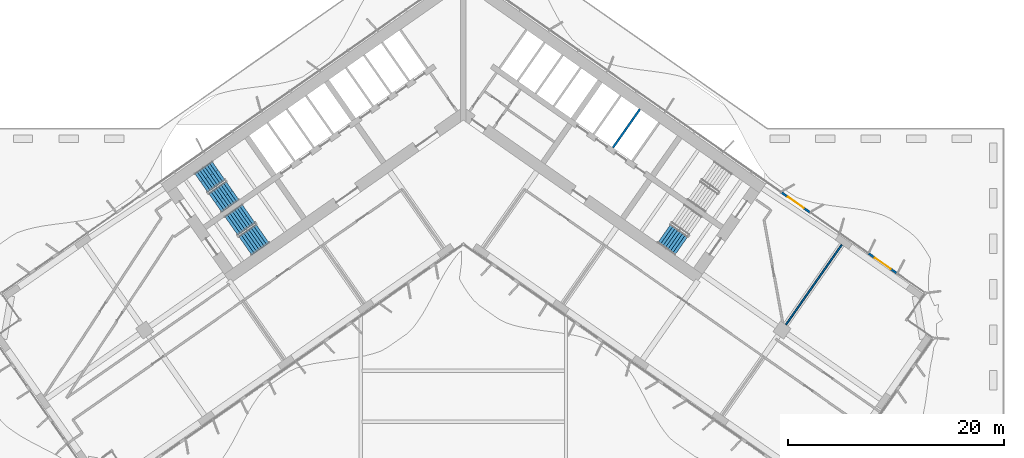
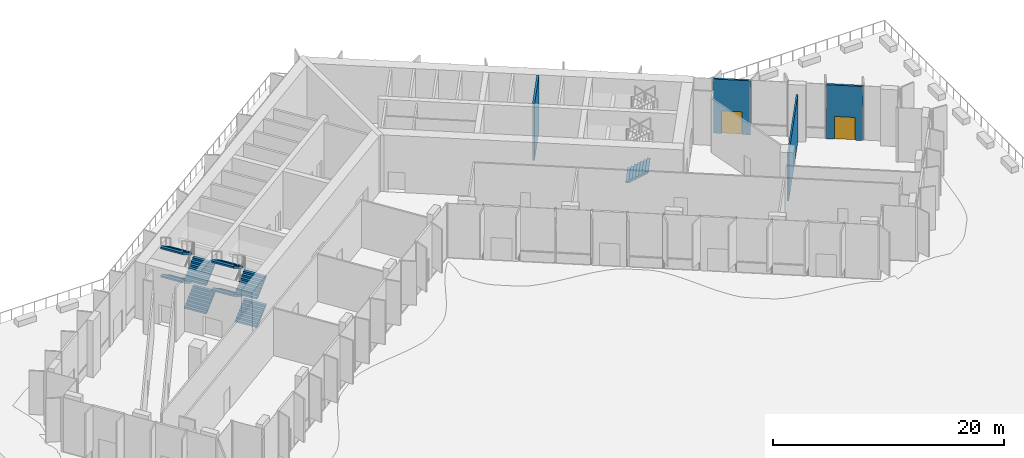
# One storey, part 20 of 27: 9 stair flights, 4 walls, 2 doors, 2 openings, 3 elements without a shape of their own.
"""IFC4 building model written with IfcOpenShell, lengths in metres."""

from ifc_helpers import new_model, si_unit, direction, frame, frame_2d, origin, place, context, subcontext, project, spatial, polyline, rectangle, outline, extrude, material, layer, layer_set, type_object, element, fill, aggregate, save


model = new_model("IFC4")

# Units and contexts
model_context = context("Model", 3, precision=1e-05, world=origin(), true_north=direction((0.0, 1.0)))
body_context = subcontext(model_context, "Body", "Model", "MODEL_VIEW")
ifc_project = project(units=[si_unit("LENGTHUNIT", "METRE"), si_unit("AREAUNIT", "SQUARE_METRE"), si_unit("VOLUMEUNIT", "CUBIC_METRE"), si_unit("PLANEANGLEUNIT", "RADIAN"), si_unit("MASSUNIT", "GRAM", prefix="KILO")], contexts=[model_context])

# Site, building, storey
site_placement = place(None, origin())
site = spatial("IfcSite", under=ifc_project, at=site_placement, CompositionType="ELEMENT")
building_placement = place(site_placement, origin())
building = spatial("IfcBuilding", under=site, at=building_placement, Name="Tel Ilan Convention Tower", CompositionType="ELEMENT")
storey_placement = place(building_placement, frame((0.0, 0.0, 48.5)))
storey = spatial("IfcBuildingStorey", under=building, at=storey_placement, Name="L07", CompositionType="ELEMENT", Elevation=48.5)

# Walls
ifc_material_1 = material(Name="Plasterboard on Steel Studs", Category="steel")
ifc_layer_1 = layer(ifc_material_1, 0.14990234375)
ifc_layer_set_1 = layer_set([ifc_layer_1], Name="Fire-rated Partition 150 EI 60")
wall_type_1 = type_object("IfcWallType", Name="Fire-rated Partition 150 EI 60", PredefinedType="PARTITIONING", material=ifc_layer_set_1)
wall_1_placement = place(storey_placement, frame((35.012939453125, -12.76025390625, 0.0), z_axis=(0.0, 0.0, 1.0), x_axis=(-0.573558725113, -0.819164445546, 0.0)))
element("IfcWall", 1, at=wall_1_placement, inside=storey, type_object=wall_type_1, Name="Partition 013", PredefinedType="PARTITIONING", context=body_context, shape_type="SweptSolid", body=[
    extrude(rectangle(XDim=9.010009765625, YDim=0.14990234375, at=frame_2d((4.5048828125, 0.0))), origin(), (0.0, 0.0, 1.0), 5.0),
])
ifc_material_2 = material(Name="Concrete C30/37", Category="concrete")
ifc_layer_2 = layer(ifc_material_2, 0.199951171875)
ifc_layer_set_2 = layer_set([ifc_layer_2], Name="Lift Shaft Wall 200 mm C30/37")
wall_type_2 = type_object("IfcWallType", Name="Lift Shaft Wall 200 mm C30/37", PredefinedType="SOLIDWALL", material=ifc_layer_set_2)
wall_2_placement = place(storey_placement, frame((13.84033203125, -3.7705078125, 0.0), z_axis=(0.0, 0.0, 1.0), x_axis=(0.57356780395, 0.819158088694, 0.0)))
element("IfcWall", 2, at=wall_2_placement, inside=storey, type_object=wall_type_2, Name="L07 core wall bank-E2-p1", PredefinedType="SOLIDWALL", context=body_context, shape_type="SweptSolid", body=[
    extrude(rectangle(XDim=4.35009765625, YDim=0.199951171875, at=frame_2d((2.175048828125, 0.0))), origin(), (0.0, 0.0, 1.0), 6.0),
])

# Wall, opening, door
ifc_material_3 = material(Name="Aluminium composite cladding, bronze anodised on steel studs", Category="steel")
ifc_layer_3 = layer(ifc_material_3, 0.199951171875)
ifc_layer_set_3 = layer_set([ifc_layer_3], Name="TERRACE DOOR BAY WALL 200")
wall_type_3 = type_object("IfcWallType", Name="TERRACE DOOR BAY WALL 200", PredefinedType="SOLIDWALL", material=ifc_layer_set_3)
wall_3_placement = place(storey_placement, frame((40.1220703125, -15.397705078125, 0.0), z_axis=(0.0, 0.0, 1.0), x_axis=(-0.819156924044, 0.573569467276, 0.0)))
wall_3 = element("IfcWall", 3, at=wall_3_placement, inside=storey, type_object=wall_type_3, Name="Terrace door bay", PredefinedType="SOLIDWALL", context=body_context, shape_type="SweptSolid", body=[
    extrude(rectangle(XDim=3.2119140625, YDim=0.199951171875, at=frame_2d((1.60595703125, 0.0))), origin(), (0.0, 0.0, 1.0), 5.719970703125),
])
opening_1_placement = place(wall_3_placement, frame((0.7060546875, 0.0, 0.0)))
opening_1 = element("IfcOpeningElement", 4, at=opening_1_placement, cuts=wall_3, Name="Opening T07.11", PredefinedType="OPENING", context=body_context, shape_type="SweptSolid", body=[
    extrude(rectangle(XDim=1.800048828125, YDim=2.39990234375, at=frame_2d((0.89990234375, 1.199951171875))), frame((0.0, 0.10986328125, 0.0), z_axis=(0.0, -1.0, 0.0), x_axis=(1.0, 0.0, 0.0)), (0.0, 0.0, 1.0), 0.219970703125),
])
ifc_material_4 = material(Name="Aluminium framed glazed door, bronze anodised", Category="aluminium")
door_type = type_object("IfcDoorType", Name="TERRACE DOUBLE DOOR 1800x2400", OperationType="NOTDEFINED", PredefinedType="DOOR", material=ifc_material_4)
door_1_placement = place(opening_1_placement, origin())
door_1 = element("IfcDoor", 5, at=door_1_placement, inside=storey, type_object=door_type, Name="Terrace door", OperationType="DOUBLE_DOOR_DOUBLE_SWING", OverallHeight=2.39990234375, OverallWidth=1.800048828125, PredefinedType="DOOR", context=body_context, shape_type="SweptSolid", body=[
    extrude(rectangle(XDim=1.800048828125, YDim=2.39990234375, at=frame_2d((0.89990234375, 1.199951171875))), frame((0.0, 0.02490234375, 0.0), z_axis=(0.0, -1.0, 0.0), x_axis=(1.0, 0.0, 0.0)), (0.0, 0.0, 1.0), 0.050048828125),
])
fill(opening_1, door_1)

wall_4_placement = place(storey_placement, frame((32.081298828125, -9.767578125, 0.0), z_axis=(0.0, 0.0, 1.0), x_axis=(-0.819156924044, 0.573569467276, 0.0)))
wall_4 = element("IfcWall", 6, at=wall_4_placement, inside=storey, type_object=wall_type_3, Name="Terrace door bay", PredefinedType="SOLIDWALL", context=body_context, shape_type="SweptSolid", body=[
    extrude(rectangle(XDim=3.2119140625, YDim=0.199951171875, at=frame_2d((1.60595703125, 0.0))), origin(), (0.0, 0.0, 1.0), 5.719970703125),
])
opening_2_placement = place(wall_4_placement, frame((0.7060546875, 0.0, 0.0)))
opening_2 = element("IfcOpeningElement", 7, at=opening_2_placement, cuts=wall_4, Name="Opening T07.12", PredefinedType="OPENING", context=body_context, shape_type="SweptSolid", body=[
    extrude(rectangle(XDim=1.800048828125, YDim=2.39990234375, at=frame_2d((0.89990234375, 1.199951171875))), frame((0.0, 0.10986328125, 0.0), z_axis=(0.0, -1.0, 0.0), x_axis=(1.0, 0.0, 0.0)), (0.0, 0.0, 1.0), 0.219970703125),
])
door_2_placement = place(opening_2_placement, origin())
door_2 = element("IfcDoor", 8, at=door_2_placement, inside=storey, type_object=door_type, Name="Terrace door", OperationType="DOUBLE_DOOR_DOUBLE_SWING", OverallHeight=2.39990234375, OverallWidth=1.800048828125, PredefinedType="DOOR", context=body_context, shape_type="SweptSolid", body=[
    extrude(rectangle(XDim=1.800048828125, YDim=2.39990234375, at=frame_2d((0.89990234375, 1.199951171875))), frame((0.0, 0.02490234375, 0.0), z_axis=(0.0, -1.0, 0.0), x_axis=(1.0, 0.0, 0.0)), (0.0, 0.0, 1.0), 0.050048828125),
])
fill(opening_2, door_2)

# Stair, stair flights
ifc_material_5 = material(Name="Concrete C40/50", Category="concrete")
stair_type = type_object("IfcStairType", Name="Pressurised Exit Stair 32 risers 188 mm", PredefinedType="HALF_TURN_STAIR", material=ifc_material_5)
stair_1_placement = place(storey_placement, origin())
stair_1 = element("IfcStair", 9, at=stair_1_placement, inside=storey, type_object=stair_type, Name="L07 Pressurised Stair S1", PredefinedType="HALF_TURN_STAIR")
ifc_material_6 = material(Name="Precast Concrete C40/50", Category="concrete")
stair_flight_type = type_object("IfcStairFlightType", Name="Concrete Stair Flight 2100 mm 32 risers 188 mm", PredefinedType="STRAIGHT", material=ifc_material_6)
stair_flight_1_placement = place(storey_placement, frame((-22.9619140625, -8.87548828125, 0.0), z_axis=(0.0, 0.0, 1.0), x_axis=(0.819152044289, 0.573576436351, 0.0)))
stair_flight_1 = element("IfcStairFlight", 10, at=stair_flight_1_placement, type_object=stair_flight_type, Name="S1 flight 1", NumberOfRisers=8, NumberOfTreads=7, PredefinedType="STRAIGHT", RiserHeight=0.1875, TreadLength=0.28, context=body_context, shape_type="SweptSolid", body=[
    extrude(outline(polyline([(0.0, 0.0), (0.0, 0.1875), (0.280029296875, 0.1875), (0.280029296875, 0.375), (0.56005859375, 0.375), (0.56005859375, 0.5625), (0.840087890625, 0.5625), (0.840087890625, 0.75), (1.1201171875, 0.75), (1.1201171875, 0.9375), (1.39990234375, 0.9375), (1.39990234375, 1.125), (1.679931640625, 1.125), (1.679931640625, 1.3125), (1.9599609375, 1.3125), (1.9599609375, 1.5), (1.9599609375, 1.132080078125), (0.26953125, 0.0), (0.0, 0.0)])), frame((0.0, -0.100341796875, 0.0), z_axis=(0.0, -1.0, 0.0), x_axis=(1.0, 0.0, 0.0)), (0.0, 0.0, 1.0), 0.94970703125),
    extrude(outline(polyline([(0.0, 0.0), (0.0, 0.1875), (0.280029296875, 0.1875), (0.280029296875, 0.375), (0.56005859375, 0.375), (0.56005859375, 0.5625), (0.840087890625, 0.5625), (0.840087890625, 0.75), (1.1201171875, 0.75), (1.1201171875, 0.9375), (1.39990234375, 0.9375), (1.39990234375, 1.125), (1.679931640625, 1.125), (1.679931640625, 1.3125), (1.9599609375, 1.3125), (1.9599609375, 1.5), (1.9599609375, 1.132080078125), (0.26953125, 0.0), (0.0, 0.0)])), frame((0.0, -0.000244140625, 0.0), z_axis=(0.0, -1.0, 0.0), x_axis=(1.0, 0.0, 0.0)), (0.0, 0.0, 1.0), 0.099609375),
    extrude(outline(polyline([(0.0, 0.0), (0.0, 0.1875), (0.280029296875, 0.1875), (0.280029296875, 0.375), (0.56005859375, 0.375), (0.56005859375, 0.5625), (0.840087890625, 0.5625), (0.840087890625, 0.75), (1.1201171875, 0.75), (1.1201171875, 0.9375), (1.39990234375, 0.9375), (1.39990234375, 1.125), (1.679931640625, 1.125), (1.679931640625, 1.3125), (1.9599609375, 1.3125), (1.9599609375, 1.5), (1.9599609375, 1.132080078125), (0.26953125, 0.0), (0.0, 0.0)])), frame((0.0, 0.099853515625, 0.0), z_axis=(0.0, -1.0, 0.0), x_axis=(1.0, 0.0, 0.0)), (0.0, 0.0, 1.0), 0.099609375),
    extrude(outline(polyline([(0.0, 0.0), (0.0, 0.1875), (0.280029296875, 0.1875), (0.280029296875, 0.375), (0.56005859375, 0.375), (0.56005859375, 0.5625), (0.840087890625, 0.5625), (0.840087890625, 0.75), (1.1201171875, 0.75), (1.1201171875, 0.9375), (1.39990234375, 0.9375), (1.39990234375, 1.125), (1.679931640625, 1.125), (1.679931640625, 1.3125), (1.9599609375, 1.3125), (1.9599609375, 1.5), (1.9599609375, 1.132080078125), (0.26953125, 0.0), (0.0, 0.0)])), frame((0.0, 1.050048828125, 0.0), z_axis=(0.0, -1.0, 0.0), x_axis=(1.0, 0.0, 0.0)), (0.0, 0.0, 1.0), 0.94970703125),
])
stair_flight_2_placement = place(storey_placement, frame((-22.646728515625, -5.908203125, 1.5), z_axis=(0.0, 0.0, 1.0), x_axis=(-0.819152044289, -0.573576436351, 0.0)))
stair_flight_2 = element("IfcStairFlight", 11, at=stair_flight_2_placement, type_object=stair_flight_type, Name="S1 flight 2", NumberOfRisers=8, NumberOfTreads=7, PredefinedType="STRAIGHT", RiserHeight=0.1875, TreadLength=0.28, context=body_context, shape_type="SweptSolid", body=[
    extrude(outline(polyline([(0.0, 0.0), (0.0, 0.1875), (0.280029296875, 0.1875), (0.280029296875, 0.375), (0.56005859375, 0.375), (0.56005859375, 0.5625), (0.840087890625, 0.5625), (0.840087890625, 0.75), (1.1201171875, 0.75), (1.1201171875, 0.9375), (1.39990234375, 0.9375), (1.39990234375, 1.125), (1.679931640625, 1.125), (1.679931640625, 1.3125), (1.9599609375, 1.3125), (1.9599609375, 1.5), (1.9599609375, 1.132080078125), (0.26953125, 0.0), (0.0, 0.0)])), frame((0.0, -0.100341796875, 0.0), z_axis=(0.0, -1.0, 0.0), x_axis=(1.0, 0.0, 0.0)), (0.0, 0.0, 1.0), 0.94970703125),
    extrude(outline(polyline([(0.0, 0.0), (0.0, 0.1875), (0.280029296875, 0.1875), (0.280029296875, 0.375), (0.56005859375, 0.375), (0.56005859375, 0.5625), (0.840087890625, 0.5625), (0.840087890625, 0.75), (1.1201171875, 0.75), (1.1201171875, 0.9375), (1.39990234375, 0.9375), (1.39990234375, 1.125), (1.679931640625, 1.125), (1.679931640625, 1.3125), (1.9599609375, 1.3125), (1.9599609375, 1.5), (1.9599609375, 1.132080078125), (0.26953125, 0.0), (0.0, 0.0)])), frame((0.0, -0.000244140625, 0.0), z_axis=(0.0, -1.0, 0.0), x_axis=(1.0, 0.0, 0.0)), (0.0, 0.0, 1.0), 0.099609375),
    extrude(outline(polyline([(0.0, 0.0), (0.0, 0.1875), (0.280029296875, 0.1875), (0.280029296875, 0.375), (0.56005859375, 0.375), (0.56005859375, 0.5625), (0.840087890625, 0.5625), (0.840087890625, 0.75), (1.1201171875, 0.75), (1.1201171875, 0.9375), (1.39990234375, 0.9375), (1.39990234375, 1.125), (1.679931640625, 1.125), (1.679931640625, 1.3125), (1.9599609375, 1.3125), (1.9599609375, 1.5), (1.9599609375, 1.132080078125), (0.26953125, 0.0), (0.0, 0.0)])), frame((0.0, 0.099853515625, 0.0), z_axis=(0.0, -1.0, 0.0), x_axis=(1.0, 0.0, 0.0)), (0.0, 0.0, 1.0), 0.099609375),
    extrude(outline(polyline([(0.0, 0.0), (0.0, 0.1875), (0.280029296875, 0.1875), (0.280029296875, 0.375), (0.56005859375, 0.375), (0.56005859375, 0.5625), (0.840087890625, 0.5625), (0.840087890625, 0.75), (1.1201171875, 0.75), (1.1201171875, 0.9375), (1.39990234375, 0.9375), (1.39990234375, 1.125), (1.679931640625, 1.125), (1.679931640625, 1.3125), (1.9599609375, 1.3125), (1.9599609375, 1.5), (1.9599609375, 1.132080078125), (0.26953125, 0.0), (0.0, 0.0)])), frame((0.0, 1.050048828125, 0.0), z_axis=(0.0, -1.0, 0.0), x_axis=(1.0, 0.0, 0.0)), (0.0, 0.0, 1.0), 0.94970703125),
])
stair_flight_3_placement = place(storey_placement, frame((-22.9619140625, -8.87548828125, 3.0), z_axis=(0.0, 0.0, 1.0), x_axis=(0.819152044289, 0.573576436351, 0.0)))
stair_flight_3 = element("IfcStairFlight", 12, at=stair_flight_3_placement, type_object=stair_flight_type, Name="S1 flight 3", NumberOfRisers=8, NumberOfTreads=7, PredefinedType="STRAIGHT", RiserHeight=0.1875, TreadLength=0.28, context=body_context, shape_type="SweptSolid", body=[
    extrude(outline(polyline([(0.0, 0.0), (0.0, 0.1875), (0.280029296875, 0.1875), (0.280029296875, 0.375), (0.56005859375, 0.375), (0.56005859375, 0.5625), (0.840087890625, 0.5625), (0.840087890625, 0.75), (1.1201171875, 0.75), (1.1201171875, 0.9375), (1.39990234375, 0.9375), (1.39990234375, 1.125), (1.679931640625, 1.125), (1.679931640625, 1.3125), (1.9599609375, 1.3125), (1.9599609375, 1.5), (1.9599609375, 1.132080078125), (0.26953125, 0.0), (0.0, 0.0)])), frame((0.0, -0.100341796875, 0.0), z_axis=(0.0, -1.0, 0.0), x_axis=(1.0, 0.0, 0.0)), (0.0, 0.0, 1.0), 0.94970703125),
    extrude(outline(polyline([(0.0, 0.0), (0.0, 0.1875), (0.280029296875, 0.1875), (0.280029296875, 0.375), (0.56005859375, 0.375), (0.56005859375, 0.5625), (0.840087890625, 0.5625), (0.840087890625, 0.75), (1.1201171875, 0.75), (1.1201171875, 0.9375), (1.39990234375, 0.9375), (1.39990234375, 1.125), (1.679931640625, 1.125), (1.679931640625, 1.3125), (1.9599609375, 1.3125), (1.9599609375, 1.5), (1.9599609375, 1.132080078125), (0.26953125, 0.0), (0.0, 0.0)])), frame((0.0, -0.000244140625, 0.0), z_axis=(0.0, -1.0, 0.0), x_axis=(1.0, 0.0, 0.0)), (0.0, 0.0, 1.0), 0.099609375),
    extrude(outline(polyline([(0.0, 0.0), (0.0, 0.1875), (0.280029296875, 0.1875), (0.280029296875, 0.375), (0.56005859375, 0.375), (0.56005859375, 0.5625), (0.840087890625, 0.5625), (0.840087890625, 0.75), (1.1201171875, 0.75), (1.1201171875, 0.9375), (1.39990234375, 0.9375), (1.39990234375, 1.125), (1.679931640625, 1.125), (1.679931640625, 1.3125), (1.9599609375, 1.3125), (1.9599609375, 1.5), (1.9599609375, 1.132080078125), (0.26953125, 0.0), (0.0, 0.0)])), frame((0.0, 0.099853515625, 0.0), z_axis=(0.0, -1.0, 0.0), x_axis=(1.0, 0.0, 0.0)), (0.0, 0.0, 1.0), 0.099609375),
    extrude(outline(polyline([(0.0, 0.0), (0.0, 0.1875), (0.280029296875, 0.1875), (0.280029296875, 0.375), (0.56005859375, 0.375), (0.56005859375, 0.5625), (0.840087890625, 0.5625), (0.840087890625, 0.75), (1.1201171875, 0.75), (1.1201171875, 0.9375), (1.39990234375, 0.9375), (1.39990234375, 1.125), (1.679931640625, 1.125), (1.679931640625, 1.3125), (1.9599609375, 1.3125), (1.9599609375, 1.5), (1.9599609375, 1.132080078125), (0.26953125, 0.0), (0.0, 0.0)])), frame((0.0, 1.050048828125, 0.0), z_axis=(0.0, -1.0, 0.0), x_axis=(1.0, 0.0, 0.0)), (0.0, 0.0, 1.0), 0.94970703125),
])
stair_flight_4_placement = place(storey_placement, frame((-22.646728515625, -5.908203125, 4.5), z_axis=(0.0, 0.0, 1.0), x_axis=(-0.819152044289, -0.573576436351, 0.0)))
stair_flight_4 = element("IfcStairFlight", 13, at=stair_flight_4_placement, type_object=stair_flight_type, Name="S1 flight 4", NumberOfRisers=8, NumberOfTreads=7, PredefinedType="STRAIGHT", RiserHeight=0.1875, TreadLength=0.28, context=body_context, shape_type="SweptSolid", body=[
    extrude(outline(polyline([(0.0, 0.0), (0.0, 0.1875), (0.280029296875, 0.1875), (0.280029296875, 0.375), (0.56005859375, 0.375), (0.56005859375, 0.5625), (0.840087890625, 0.5625), (0.840087890625, 0.75), (1.1201171875, 0.75), (1.1201171875, 0.9375), (1.39990234375, 0.9375), (1.39990234375, 1.125), (1.679931640625, 1.125), (1.679931640625, 1.3125), (1.9599609375, 1.3125), (1.9599609375, 1.5), (1.9599609375, 1.132080078125), (0.26953125, 0.0), (0.0, 0.0)])), frame((0.0, -0.100341796875, 0.0), z_axis=(0.0, -1.0, 0.0), x_axis=(1.0, 0.0, 0.0)), (0.0, 0.0, 1.0), 0.94970703125),
    extrude(outline(polyline([(0.0, 0.0), (0.0, 0.1875), (0.280029296875, 0.1875), (0.280029296875, 0.375), (0.56005859375, 0.375), (0.56005859375, 0.5625), (0.840087890625, 0.5625), (0.840087890625, 0.75), (1.1201171875, 0.75), (1.1201171875, 0.9375), (1.39990234375, 0.9375), (1.39990234375, 1.125), (1.679931640625, 1.125), (1.679931640625, 1.3125), (1.9599609375, 1.3125), (1.9599609375, 1.5), (1.9599609375, 1.132080078125), (0.26953125, 0.0), (0.0, 0.0)])), frame((0.0, -0.000244140625, 0.0), z_axis=(0.0, -1.0, 0.0), x_axis=(1.0, 0.0, 0.0)), (0.0, 0.0, 1.0), 0.099609375),
    extrude(outline(polyline([(0.0, 0.0), (0.0, 0.1875), (0.280029296875, 0.1875), (0.280029296875, 0.375), (0.56005859375, 0.375), (0.56005859375, 0.5625), (0.840087890625, 0.5625), (0.840087890625, 0.75), (1.1201171875, 0.75), (1.1201171875, 0.9375), (1.39990234375, 0.9375), (1.39990234375, 1.125), (1.679931640625, 1.125), (1.679931640625, 1.3125), (1.9599609375, 1.3125), (1.9599609375, 1.5), (1.9599609375, 1.132080078125), (0.26953125, 0.0), (0.0, 0.0)])), frame((0.0, 0.099853515625, 0.0), z_axis=(0.0, -1.0, 0.0), x_axis=(1.0, 0.0, 0.0)), (0.0, 0.0, 1.0), 0.099609375),
    extrude(outline(polyline([(0.0, 0.0), (0.0, 0.1875), (0.280029296875, 0.1875), (0.280029296875, 0.375), (0.56005859375, 0.375), (0.56005859375, 0.5625), (0.840087890625, 0.5625), (0.840087890625, 0.75), (1.1201171875, 0.75), (1.1201171875, 0.9375), (1.39990234375, 0.9375), (1.39990234375, 1.125), (1.679931640625, 1.125), (1.679931640625, 1.3125), (1.9599609375, 1.3125), (1.9599609375, 1.5), (1.9599609375, 1.132080078125), (0.26953125, 0.0), (0.0, 0.0)])), frame((0.0, 1.050048828125, 0.0), z_axis=(0.0, -1.0, 0.0), x_axis=(1.0, 0.0, 0.0)), (0.0, 0.0, 1.0), 0.94970703125),
])
aggregate(stair_1, [stair_flight_1, stair_flight_2, stair_flight_3, stair_flight_4])

stair_2_placement = place(storey_placement, origin())
stair_2 = element("IfcStair", 14, at=stair_2_placement, inside=storey, type_object=stair_type, Name="L07 Pressurised Stair S2", PredefinedType="HALF_TURN_STAIR")
stair_flight_5_placement = place(storey_placement, frame((-20.179931640625, -12.848388671875, 0.0), z_axis=(0.0, 0.0, 1.0), x_axis=(0.819152044289, 0.573576436351, 0.0)))
stair_flight_5 = element("IfcStairFlight", 15, at=stair_flight_5_placement, type_object=stair_flight_type, Name="S2 flight 1", NumberOfRisers=8, NumberOfTreads=7, PredefinedType="STRAIGHT", RiserHeight=0.1875, TreadLength=0.28, context=body_context, shape_type="SweptSolid", body=[
    extrude(outline(polyline([(0.0, 0.0), (0.0, 0.1875), (0.280029296875, 0.1875), (0.280029296875, 0.375), (0.56005859375, 0.375), (0.56005859375, 0.5625), (0.840087890625, 0.5625), (0.840087890625, 0.75), (1.1201171875, 0.75), (1.1201171875, 0.9375), (1.39990234375, 0.9375), (1.39990234375, 1.125), (1.679931640625, 1.125), (1.679931640625, 1.3125), (1.9599609375, 1.3125), (1.9599609375, 1.5), (1.9599609375, 1.132080078125), (0.26953125, 0.0), (0.0, 0.0)])), frame((0.0, -0.100341796875, 0.0), z_axis=(0.0, -1.0, 0.0), x_axis=(1.0, 0.0, 0.0)), (0.0, 0.0, 1.0), 0.94970703125),
    extrude(outline(polyline([(0.0, 0.0), (0.0, 0.1875), (0.280029296875, 0.1875), (0.280029296875, 0.375), (0.56005859375, 0.375), (0.56005859375, 0.5625), (0.840087890625, 0.5625), (0.840087890625, 0.75), (1.1201171875, 0.75), (1.1201171875, 0.9375), (1.39990234375, 0.9375), (1.39990234375, 1.125), (1.679931640625, 1.125), (1.679931640625, 1.3125), (1.9599609375, 1.3125), (1.9599609375, 1.5), (1.9599609375, 1.132080078125), (0.26953125, 0.0), (0.0, 0.0)])), frame((0.0, -0.000244140625, 0.0), z_axis=(0.0, -1.0, 0.0), x_axis=(1.0, 0.0, 0.0)), (0.0, 0.0, 1.0), 0.099609375),
    extrude(outline(polyline([(0.0, 0.0), (0.0, 0.1875), (0.280029296875, 0.1875), (0.280029296875, 0.375), (0.56005859375, 0.375), (0.56005859375, 0.5625), (0.840087890625, 0.5625), (0.840087890625, 0.75), (1.1201171875, 0.75), (1.1201171875, 0.9375), (1.39990234375, 0.9375), (1.39990234375, 1.125), (1.679931640625, 1.125), (1.679931640625, 1.3125), (1.9599609375, 1.3125), (1.9599609375, 1.5), (1.9599609375, 1.132080078125), (0.26953125, 0.0), (0.0, 0.0)])), frame((0.0, 0.099853515625, 0.0), z_axis=(0.0, -1.0, 0.0), x_axis=(1.0, 0.0, 0.0)), (0.0, 0.0, 1.0), 0.099609375),
    extrude(outline(polyline([(0.0, 0.0), (0.0, 0.1875), (0.280029296875, 0.1875), (0.280029296875, 0.375), (0.56005859375, 0.375), (0.56005859375, 0.5625), (0.840087890625, 0.5625), (0.840087890625, 0.75), (1.1201171875, 0.75), (1.1201171875, 0.9375), (1.39990234375, 0.9375), (1.39990234375, 1.125), (1.679931640625, 1.125), (1.679931640625, 1.3125), (1.9599609375, 1.3125), (1.9599609375, 1.5), (1.9599609375, 1.132080078125), (0.26953125, 0.0), (0.0, 0.0)])), frame((0.0, 1.050048828125, 0.0), z_axis=(0.0, -1.0, 0.0), x_axis=(1.0, 0.0, 0.0)), (0.0, 0.0, 1.0), 0.94970703125),
])
stair_flight_6_placement = place(storey_placement, frame((-19.864990234375, -9.881103515625, 1.5), z_axis=(0.0, 0.0, 1.0), x_axis=(-0.819152044289, -0.573576436351, 0.0)))
stair_flight_6 = element("IfcStairFlight", 16, at=stair_flight_6_placement, type_object=stair_flight_type, Name="S2 flight 2", NumberOfRisers=8, NumberOfTreads=7, PredefinedType="STRAIGHT", RiserHeight=0.1875, TreadLength=0.28, context=body_context, shape_type="SweptSolid", body=[
    extrude(outline(polyline([(0.0, 0.0), (0.0, 0.1875), (0.280029296875, 0.1875), (0.280029296875, 0.375), (0.56005859375, 0.375), (0.56005859375, 0.5625), (0.840087890625, 0.5625), (0.840087890625, 0.75), (1.1201171875, 0.75), (1.1201171875, 0.9375), (1.39990234375, 0.9375), (1.39990234375, 1.125), (1.679931640625, 1.125), (1.679931640625, 1.3125), (1.9599609375, 1.3125), (1.9599609375, 1.5), (1.9599609375, 1.132080078125), (0.26953125, 0.0), (0.0, 0.0)])), frame((0.0, -0.100341796875, 0.0), z_axis=(0.0, -1.0, 0.0), x_axis=(1.0, 0.0, 0.0)), (0.0, 0.0, 1.0), 0.94970703125),
    extrude(outline(polyline([(0.0, 0.0), (0.0, 0.1875), (0.280029296875, 0.1875), (0.280029296875, 0.375), (0.56005859375, 0.375), (0.56005859375, 0.5625), (0.840087890625, 0.5625), (0.840087890625, 0.75), (1.1201171875, 0.75), (1.1201171875, 0.9375), (1.39990234375, 0.9375), (1.39990234375, 1.125), (1.679931640625, 1.125), (1.679931640625, 1.3125), (1.9599609375, 1.3125), (1.9599609375, 1.5), (1.9599609375, 1.132080078125), (0.26953125, 0.0), (0.0, 0.0)])), frame((0.0, -0.000244140625, 0.0), z_axis=(0.0, -1.0, 0.0), x_axis=(1.0, 0.0, 0.0)), (0.0, 0.0, 1.0), 0.099609375),
    extrude(outline(polyline([(0.0, 0.0), (0.0, 0.1875), (0.280029296875, 0.1875), (0.280029296875, 0.375), (0.56005859375, 0.375), (0.56005859375, 0.5625), (0.840087890625, 0.5625), (0.840087890625, 0.75), (1.1201171875, 0.75), (1.1201171875, 0.9375), (1.39990234375, 0.9375), (1.39990234375, 1.125), (1.679931640625, 1.125), (1.679931640625, 1.3125), (1.9599609375, 1.3125), (1.9599609375, 1.5), (1.9599609375, 1.132080078125), (0.26953125, 0.0), (0.0, 0.0)])), frame((0.0, 0.099853515625, 0.0), z_axis=(0.0, -1.0, 0.0), x_axis=(1.0, 0.0, 0.0)), (0.0, 0.0, 1.0), 0.099609375),
    extrude(outline(polyline([(0.0, 0.0), (0.0, 0.1875), (0.280029296875, 0.1875), (0.280029296875, 0.375), (0.56005859375, 0.375), (0.56005859375, 0.5625), (0.840087890625, 0.5625), (0.840087890625, 0.75), (1.1201171875, 0.75), (1.1201171875, 0.9375), (1.39990234375, 0.9375), (1.39990234375, 1.125), (1.679931640625, 1.125), (1.679931640625, 1.3125), (1.9599609375, 1.3125), (1.9599609375, 1.5), (1.9599609375, 1.132080078125), (0.26953125, 0.0), (0.0, 0.0)])), frame((0.0, 1.050048828125, 0.0), z_axis=(0.0, -1.0, 0.0), x_axis=(1.0, 0.0, 0.0)), (0.0, 0.0, 1.0), 0.94970703125),
])
stair_flight_7_placement = place(storey_placement, frame((-20.179931640625, -12.848388671875, 3.0), z_axis=(0.0, 0.0, 1.0), x_axis=(0.819152044289, 0.573576436351, 0.0)))
stair_flight_7 = element("IfcStairFlight", 17, at=stair_flight_7_placement, type_object=stair_flight_type, Name="S2 flight 3", NumberOfRisers=8, NumberOfTreads=7, PredefinedType="STRAIGHT", RiserHeight=0.1875, TreadLength=0.28, context=body_context, shape_type="SweptSolid", body=[
    extrude(outline(polyline([(0.0, 0.0), (0.0, 0.1875), (0.280029296875, 0.1875), (0.280029296875, 0.375), (0.56005859375, 0.375), (0.56005859375, 0.5625), (0.840087890625, 0.5625), (0.840087890625, 0.75), (1.1201171875, 0.75), (1.1201171875, 0.9375), (1.39990234375, 0.9375), (1.39990234375, 1.125), (1.679931640625, 1.125), (1.679931640625, 1.3125), (1.9599609375, 1.3125), (1.9599609375, 1.5), (1.9599609375, 1.132080078125), (0.26953125, 0.0), (0.0, 0.0)])), frame((0.0, -0.100341796875, 0.0), z_axis=(0.0, -1.0, 0.0), x_axis=(1.0, 0.0, 0.0)), (0.0, 0.0, 1.0), 0.94970703125),
    extrude(outline(polyline([(0.0, 0.0), (0.0, 0.1875), (0.280029296875, 0.1875), (0.280029296875, 0.375), (0.56005859375, 0.375), (0.56005859375, 0.5625), (0.840087890625, 0.5625), (0.840087890625, 0.75), (1.1201171875, 0.75), (1.1201171875, 0.9375), (1.39990234375, 0.9375), (1.39990234375, 1.125), (1.679931640625, 1.125), (1.679931640625, 1.3125), (1.9599609375, 1.3125), (1.9599609375, 1.5), (1.9599609375, 1.132080078125), (0.26953125, 0.0), (0.0, 0.0)])), frame((0.0, -0.000244140625, 0.0), z_axis=(0.0, -1.0, 0.0), x_axis=(1.0, 0.0, 0.0)), (0.0, 0.0, 1.0), 0.099609375),
    extrude(outline(polyline([(0.0, 0.0), (0.0, 0.1875), (0.280029296875, 0.1875), (0.280029296875, 0.375), (0.56005859375, 0.375), (0.56005859375, 0.5625), (0.840087890625, 0.5625), (0.840087890625, 0.75), (1.1201171875, 0.75), (1.1201171875, 0.9375), (1.39990234375, 0.9375), (1.39990234375, 1.125), (1.679931640625, 1.125), (1.679931640625, 1.3125), (1.9599609375, 1.3125), (1.9599609375, 1.5), (1.9599609375, 1.132080078125), (0.26953125, 0.0), (0.0, 0.0)])), frame((0.0, 0.099853515625, 0.0), z_axis=(0.0, -1.0, 0.0), x_axis=(1.0, 0.0, 0.0)), (0.0, 0.0, 1.0), 0.099609375),
    extrude(outline(polyline([(0.0, 0.0), (0.0, 0.1875), (0.280029296875, 0.1875), (0.280029296875, 0.375), (0.56005859375, 0.375), (0.56005859375, 0.5625), (0.840087890625, 0.5625), (0.840087890625, 0.75), (1.1201171875, 0.75), (1.1201171875, 0.9375), (1.39990234375, 0.9375), (1.39990234375, 1.125), (1.679931640625, 1.125), (1.679931640625, 1.3125), (1.9599609375, 1.3125), (1.9599609375, 1.5), (1.9599609375, 1.132080078125), (0.26953125, 0.0), (0.0, 0.0)])), frame((0.0, 1.050048828125, 0.0), z_axis=(0.0, -1.0, 0.0), x_axis=(1.0, 0.0, 0.0)), (0.0, 0.0, 1.0), 0.94970703125),
])
stair_flight_8_placement = place(storey_placement, frame((-19.864990234375, -9.881103515625, 4.5), z_axis=(0.0, 0.0, 1.0), x_axis=(-0.819152044289, -0.573576436351, 0.0)))
stair_flight_8 = element("IfcStairFlight", 18, at=stair_flight_8_placement, type_object=stair_flight_type, Name="S2 flight 4", NumberOfRisers=8, NumberOfTreads=7, PredefinedType="STRAIGHT", RiserHeight=0.1875, TreadLength=0.28, context=body_context, shape_type="SweptSolid", body=[
    extrude(outline(polyline([(0.0, 0.0), (0.0, 0.1875), (0.280029296875, 0.1875), (0.280029296875, 0.375), (0.56005859375, 0.375), (0.56005859375, 0.5625), (0.840087890625, 0.5625), (0.840087890625, 0.75), (1.1201171875, 0.75), (1.1201171875, 0.9375), (1.39990234375, 0.9375), (1.39990234375, 1.125), (1.679931640625, 1.125), (1.679931640625, 1.3125), (1.9599609375, 1.3125), (1.9599609375, 1.5), (1.9599609375, 1.132080078125), (0.26953125, 0.0), (0.0, 0.0)])), frame((0.0, -0.100341796875, 0.0), z_axis=(0.0, -1.0, 0.0), x_axis=(1.0, 0.0, 0.0)), (0.0, 0.0, 1.0), 0.94970703125),
    extrude(outline(polyline([(0.0, 0.0), (0.0, 0.1875), (0.280029296875, 0.1875), (0.280029296875, 0.375), (0.56005859375, 0.375), (0.56005859375, 0.5625), (0.840087890625, 0.5625), (0.840087890625, 0.75), (1.1201171875, 0.75), (1.1201171875, 0.9375), (1.39990234375, 0.9375), (1.39990234375, 1.125), (1.679931640625, 1.125), (1.679931640625, 1.3125), (1.9599609375, 1.3125), (1.9599609375, 1.5), (1.9599609375, 1.132080078125), (0.26953125, 0.0), (0.0, 0.0)])), frame((0.0, -0.000244140625, 0.0), z_axis=(0.0, -1.0, 0.0), x_axis=(1.0, 0.0, 0.0)), (0.0, 0.0, 1.0), 0.099609375),
    extrude(outline(polyline([(0.0, 0.0), (0.0, 0.1875), (0.280029296875, 0.1875), (0.280029296875, 0.375), (0.56005859375, 0.375), (0.56005859375, 0.5625), (0.840087890625, 0.5625), (0.840087890625, 0.75), (1.1201171875, 0.75), (1.1201171875, 0.9375), (1.39990234375, 0.9375), (1.39990234375, 1.125), (1.679931640625, 1.125), (1.679931640625, 1.3125), (1.9599609375, 1.3125), (1.9599609375, 1.5), (1.9599609375, 1.132080078125), (0.26953125, 0.0), (0.0, 0.0)])), frame((0.0, 0.099853515625, 0.0), z_axis=(0.0, -1.0, 0.0), x_axis=(1.0, 0.0, 0.0)), (0.0, 0.0, 1.0), 0.099609375),
    extrude(outline(polyline([(0.0, 0.0), (0.0, 0.1875), (0.280029296875, 0.1875), (0.280029296875, 0.375), (0.56005859375, 0.375), (0.56005859375, 0.5625), (0.840087890625, 0.5625), (0.840087890625, 0.75), (1.1201171875, 0.75), (1.1201171875, 0.9375), (1.39990234375, 0.9375), (1.39990234375, 1.125), (1.679931640625, 1.125), (1.679931640625, 1.3125), (1.9599609375, 1.3125), (1.9599609375, 1.5), (1.9599609375, 1.132080078125), (0.26953125, 0.0), (0.0, 0.0)])), frame((0.0, 1.050048828125, 0.0), z_axis=(0.0, -1.0, 0.0), x_axis=(1.0, 0.0, 0.0)), (0.0, 0.0, 1.0), 0.94970703125),
])
aggregate(stair_2, [stair_flight_5, stair_flight_6, stair_flight_7, stair_flight_8])

# Stair, stair flight
stair_3_placement = place(storey_placement, origin())
stair_3 = element("IfcStair", 19, at=stair_3_placement, inside=storey, type_object=stair_type, Name="L07 Pressurised Stair S4", PredefinedType="HALF_TURN_STAIR")
stair_flight_9_placement = place(storey_placement, frame((18.574462890625, -11.72412109375, 1.5), z_axis=(0.0, 0.0, 1.0), x_axis=(0.819152044289, -0.573576436351, 0.0)))
stair_flight_9 = element("IfcStairFlight", 20, at=stair_flight_9_placement, type_object=stair_flight_type, Name="S4 flight 2", NumberOfRisers=8, NumberOfTreads=7, PredefinedType="STRAIGHT", RiserHeight=0.1875, TreadLength=0.28, context=body_context, shape_type="SweptSolid", body=[
    extrude(outline(polyline([(0.0, 0.0), (0.0, 0.1875), (0.280029296875, 0.1875), (0.280029296875, 0.375), (0.56005859375, 0.375), (0.56005859375, 0.5625), (0.840087890625, 0.5625), (0.840087890625, 0.75), (1.1201171875, 0.75), (1.1201171875, 0.9375), (1.39990234375, 0.9375), (1.39990234375, 1.125), (1.679931640625, 1.125), (1.679931640625, 1.3125), (1.9599609375, 1.3125), (1.9599609375, 1.5), (1.9599609375, 1.132080078125), (0.26953125, 0.0), (0.0, 0.0)])), frame((0.0, -0.100341796875, 0.0), z_axis=(0.0, -1.0, 0.0), x_axis=(1.0, 0.0, 0.0)), (0.0, 0.0, 1.0), 0.94970703125),
    extrude(outline(polyline([(0.0, 0.0), (0.0, 0.1875), (0.280029296875, 0.1875), (0.280029296875, 0.375), (0.56005859375, 0.375), (0.56005859375, 0.5625), (0.840087890625, 0.5625), (0.840087890625, 0.75), (1.1201171875, 0.75), (1.1201171875, 0.9375), (1.39990234375, 0.9375), (1.39990234375, 1.125), (1.679931640625, 1.125), (1.679931640625, 1.3125), (1.9599609375, 1.3125), (1.9599609375, 1.5), (1.9599609375, 1.132080078125), (0.26953125, 0.0), (0.0, 0.0)])), frame((0.0, -0.000244140625, 0.0), z_axis=(0.0, -1.0, 0.0), x_axis=(1.0, 0.0, 0.0)), (0.0, 0.0, 1.0), 0.099609375),
    extrude(outline(polyline([(0.0, 0.0), (0.0, 0.1875), (0.280029296875, 0.1875), (0.280029296875, 0.375), (0.56005859375, 0.375), (0.56005859375, 0.5625), (0.840087890625, 0.5625), (0.840087890625, 0.75), (1.1201171875, 0.75), (1.1201171875, 0.9375), (1.39990234375, 0.9375), (1.39990234375, 1.125), (1.679931640625, 1.125), (1.679931640625, 1.3125), (1.9599609375, 1.3125), (1.9599609375, 1.5), (1.9599609375, 1.132080078125), (0.26953125, 0.0), (0.0, 0.0)])), frame((0.0, 0.099853515625, 0.0), z_axis=(0.0, -1.0, 0.0), x_axis=(1.0, 0.0, 0.0)), (0.0, 0.0, 1.0), 0.099609375),
    extrude(outline(polyline([(0.0, 0.0), (0.0, 0.1875), (0.280029296875, 0.1875), (0.280029296875, 0.375), (0.56005859375, 0.375), (0.56005859375, 0.5625), (0.840087890625, 0.5625), (0.840087890625, 0.75), (1.1201171875, 0.75), (1.1201171875, 0.9375), (1.39990234375, 0.9375), (1.39990234375, 1.125), (1.679931640625, 1.125), (1.679931640625, 1.3125), (1.9599609375, 1.3125), (1.9599609375, 1.5), (1.9599609375, 1.132080078125), (0.26953125, 0.0), (0.0, 0.0)])), frame((0.0, 1.050048828125, 0.0), z_axis=(0.0, -1.0, 0.0), x_axis=(1.0, 0.0, 0.0)), (0.0, 0.0, 1.0), 0.94970703125),
])
aggregate(stair_3, [stair_flight_9])

save(model, "model.ifc")
